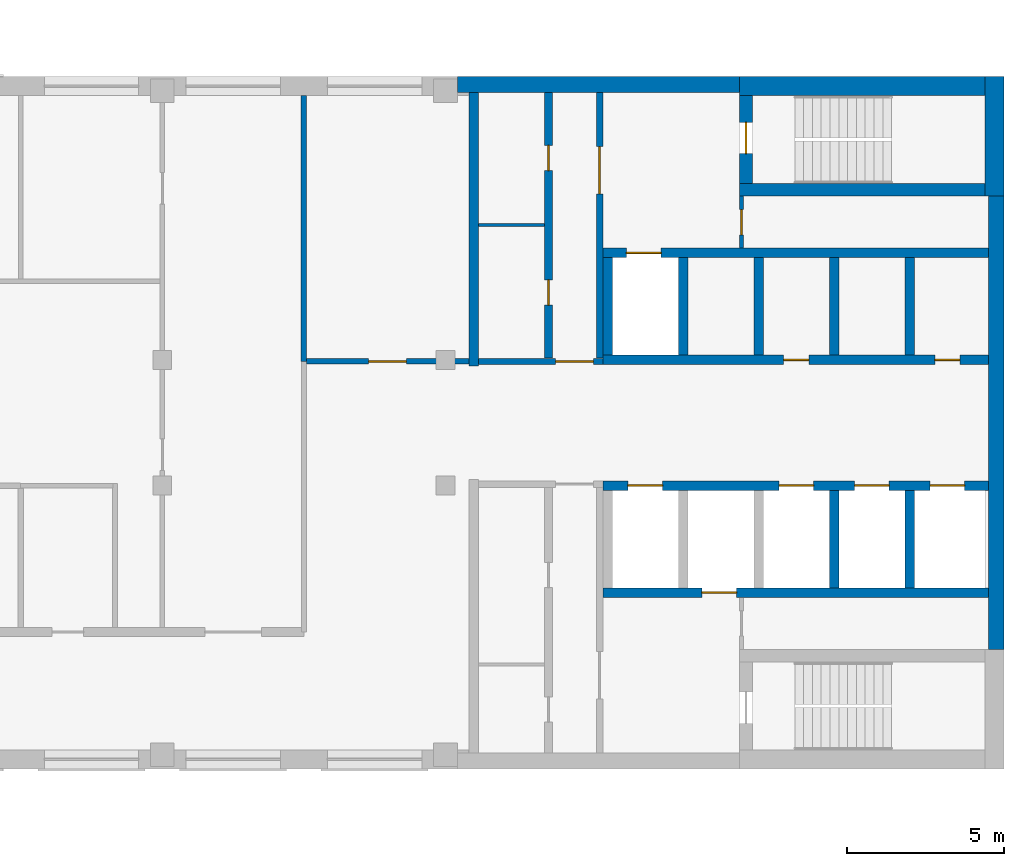
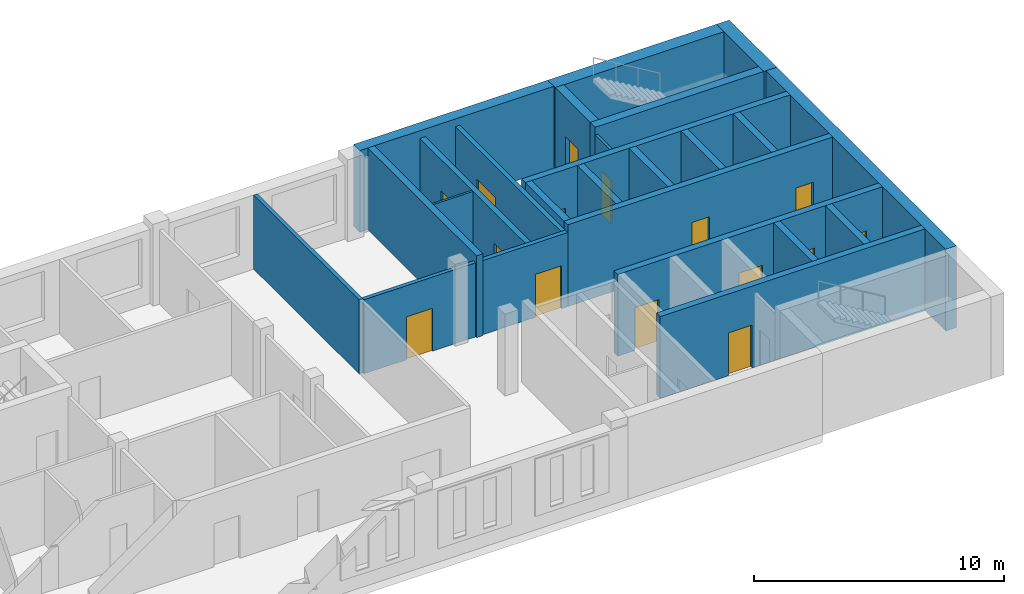
# One storey, part 6 of 10: 25 walls, 15 doors, 15 openings.
"""IFC4 building model written with IfcOpenShell, lengths in metres."""

from ifc_helpers import new_model, si_unit, direction, frame, frame_2d, origin, place, context, subcontext, project, spatial, rectangle, extrude, material, layer, layer_set, type_object, element, fill, save


model = new_model("IFC4")

# Units and contexts
model_context = context("Model", 3, precision=1e-05, world=origin(), true_north=direction((0.0, 1.0)))
body_context = subcontext(model_context, "Body", "Model", "MODEL_VIEW")
ifc_project = project(units=[si_unit("LENGTHUNIT", "METRE"), si_unit("AREAUNIT", "SQUARE_METRE"), si_unit("VOLUMEUNIT", "CUBIC_METRE"), si_unit("PLANEANGLEUNIT", "RADIAN"), si_unit("MASSUNIT", "GRAM", prefix="KILO")], contexts=[model_context])

# Site, building, storey
site_placement = place(None, origin())
site = spatial("IfcSite", under=ifc_project, at=site_placement, CompositionType="ELEMENT")
building_placement = place(site_placement, origin())
building = spatial("IfcBuilding", under=site, at=building_placement, Name="Skarvind Civic Tower", CompositionType="ELEMENT")
storey_placement = place(building_placement, frame((0.0, 0.0, 228.0)))
storey = spatial("IfcBuildingStorey", under=building, at=storey_placement, Name="L54", CompositionType="ELEMENT", Elevation=228.0)

# Wall
ifc_material_1 = material(Name="Acoustic gypsum board on steel studs", Category="steel")
ifc_layer_1 = layer(ifc_material_1, 0.175048828125)
ifc_layer_set_1 = layer_set([ifc_layer_1], Name="ACOUSTIC MEETING-ROOM PARTITION 175")
wall_type_1 = type_object("IfcWallType", Name="ACOUSTIC MEETING-ROOM PARTITION 175", PredefinedType="PARTITIONING", material=ifc_layer_set_1)
wall_1_placement = place(storey_placement, frame((85.75, 129.949951171875, 0.0), z_axis=(0.0, 0.0, 1.0), x_axis=(0.0, 1.0, 0.0)))
element("IfcWall", 1, at=wall_1_placement, inside=storey, type_object=wall_type_1, Name="Partition 54.038", PredefinedType="PARTITIONING", context=body_context, shape_type="SweptSolid", body=[
    extrude(rectangle(XDim=8.449951171875, YDim=0.175048828125, at=frame_2d((4.22509765625, 0.0))), origin(), (0.0, 0.0, 1.0), 3.625),
])

# Wall, opening, door
wall_2_placement = place(storey_placement, frame((85.837890625, 129.949951171875, 0.0), z_axis=(0.0, 0.0, 1.0), x_axis=(1.0, 0.0, 0.0)))
wall_2 = element("IfcWall", 2, at=wall_2_placement, inside=storey, type_object=wall_type_1, Name="Partition 54.039", PredefinedType="PARTITIONING", context=body_context, shape_type="SweptSolid", body=[
    extrude(rectangle(XDim=5.162109375, YDim=0.175048828125, at=frame_2d((2.5810546875, 0.0))), origin(), (0.0, 0.0, 1.0), 3.625),
])
opening_1_placement = place(wall_2_placement, frame((1.970947265625, 0.0, 0.0)))
opening_1 = element("IfcOpeningElement", 3, at=opening_1_placement, cuts=wall_2, Name="Opening L54-D001", PredefinedType="OPENING", context=body_context, shape_type="SweptSolid", body=[
    extrude(rectangle(XDim=1.199951171875, YDim=2.10009765625, at=frame_2d((0.60009765625, 1.050048828125))), frame((0.0, 0.097412109375, 0.0), z_axis=(0.0, -1.0, 0.0), x_axis=(1.0, 0.0, 0.0)), (0.0, 0.0, 1.0), 0.195068359375),
])
ifc_material_2 = material(Name="Timber door leaf", Category="wood")
door_type_1 = type_object("IfcDoorType", Name="DOOR 1200X2100 DOUBLE TIMBER", OperationType="NOTDEFINED", PredefinedType="DOOR", material=ifc_material_2)
door_1_placement = place(opening_1_placement, origin())
door_1 = element("IfcDoor", 4, at=door_1_placement, inside=storey, type_object=door_type_1, Name="Door L54-D001", OperationType="DOUBLE_DOOR_SINGLE_SWING", OverallHeight=2.10009765625, OverallWidth=1.199951171875, PredefinedType="DOOR", context=body_context, shape_type="SweptSolid", body=[
    extrude(rectangle(XDim=1.199951171875, YDim=2.10009765625, at=frame_2d((0.60009765625, 1.050048828125))), frame((0.0, 0.02490234375, 0.0), z_axis=(0.0, -1.0, 0.0), x_axis=(1.0, 0.0, 0.0)), (0.0, 0.0, 1.0), 0.050048828125),
])
fill(opening_1, door_1)

ifc_material_3 = material(Name="Fire-rated masonry partition", Category="masonry")
ifc_layer_2 = layer(ifc_material_3, 0.199951171875)
ifc_layer_set_2 = layer_set([ifc_layer_2], Name="Core enclosure wall 200")
wall_type_2 = type_object("IfcWallType", Name="Core enclosure wall 200", PredefinedType="PARTITIONING", material=ifc_layer_set_2)
wall_3_placement = place(storey_placement, frame((91.300048828125, 129.949951171875, 0.0), z_axis=(0.0, 0.0, 1.0), x_axis=(1.0, 0.0, 0.0)))
wall_3 = element("IfcWall", 5, at=wall_3_placement, inside=storey, type_object=wall_type_2, Name="Core wall C1", PredefinedType="PARTITIONING", context=body_context, shape_type="SweptSolid", body=[
    extrude(rectangle(XDim=3.949951171875, YDim=0.199951171875, at=frame_2d((1.97509765625, 0.0))), origin(), (0.0, 0.0, 1.0), 3.625),
])
opening_2_placement = place(wall_3_placement, frame((2.449951171875, 0.0, 0.0)))
opening_2 = element("IfcOpeningElement", 6, at=opening_2_placement, cuts=wall_3, Name="Opening D-L54-C1-13", PredefinedType="OPENING", context=body_context, shape_type="SweptSolid", body=[
    extrude(rectangle(XDim=1.199951171875, YDim=2.10009765625, at=frame_2d((0.60009765625, 1.050048828125))), frame((0.0, 0.10986328125, 0.0), z_axis=(0.0, -1.0, 0.0), x_axis=(1.0, 0.0, 0.0)), (0.0, 0.0, 1.0), 0.219970703125),
])
ifc_material_4 = material(Name="Fire-rated steel door", Category="steel")
door_type_2 = type_object("IfcDoorType", Name="Core lobby door 1200", OperationType="NOTDEFINED", PredefinedType="DOOR", material=ifc_material_4)
door_2_placement = place(opening_2_placement, origin())
door_2 = element("IfcDoor", 7, at=door_2_placement, inside=storey, type_object=door_type_2, Name="Fire door", OperationType="DOUBLE_DOOR_SINGLE_SWING", OverallHeight=2.10009765625, OverallWidth=1.199951171875, PredefinedType="DOOR", context=body_context, shape_type="SweptSolid", body=[
    extrude(rectangle(XDim=1.199951171875, YDim=2.10009765625, at=frame_2d((0.60009765625, 1.050048828125))), frame((0.0, 0.02490234375, 0.0), z_axis=(0.0, -1.0, 0.0), x_axis=(1.0, 0.0, 0.0)), (0.0, 0.0, 1.0), 0.050048828125),
])
fill(opening_2, door_2)

wall_4_placement = place(storey_placement, frame((95.14990234375, 130.050048828125, 0.0), z_axis=(0.0, 0.0, 1.0), x_axis=(0.0, 1.0, 0.0)))
wall_4 = element("IfcWall", 8, at=wall_4_placement, inside=storey, type_object=wall_type_2, Name="Core wall C1", PredefinedType="PARTITIONING", context=body_context, shape_type="SweptSolid", body=[
    extrude(rectangle(XDim=8.449951171875, YDim=0.199951171875, at=frame_2d((4.22509765625, 0.0))), origin(), (0.0, 0.0, 1.0), 3.625),
])
opening_3_placement = place(wall_4_placement, frame((5.22509765625, 0.0, 0.0)))
opening_3 = element("IfcOpeningElement", 9, at=opening_3_placement, cuts=wall_4, Name="Opening D-L54-C1-14", PredefinedType="OPENING", context=body_context, shape_type="SweptSolid", body=[
    extrude(rectangle(XDim=1.5, YDim=2.10009765625, at=frame_2d((0.75, 1.050048828125))), frame((0.0, 0.10986328125, 0.0), z_axis=(0.0, -1.0, 0.0), x_axis=(1.0, 0.0, 0.0)), (0.0, 0.0, 1.0), 0.219970703125),
])
door_type_3 = type_object("IfcDoorType", Name="Fire door 1500", OperationType="NOTDEFINED", PredefinedType="DOOR", material=ifc_material_4)
door_3_placement = place(opening_3_placement, origin())
door_3 = element("IfcDoor", 10, at=door_3_placement, inside=storey, type_object=door_type_3, Name="Fire door", OperationType="DOUBLE_DOOR_SINGLE_SWING", OverallHeight=2.10009765625, OverallWidth=1.5, PredefinedType="DOOR", context=body_context, shape_type="SweptSolid", body=[
    extrude(rectangle(XDim=1.5, YDim=2.10009765625, at=frame_2d((0.75, 1.050048828125))), frame((0.0, 0.02490234375, 0.0), z_axis=(0.0, -1.0, 0.0), x_axis=(1.0, 0.0, 0.0)), (0.0, 0.0, 1.0), 0.050048828125),
])
fill(opening_3, door_3)

# Wall
ifc_material_5 = material(Name="Fire-rated plasterboard partition")
ifc_layer_3 = layer(ifc_material_5, 0.10009765625)
ifc_layer_set_3 = layer_set([ifc_layer_3], Name="Core partition wall 100")
wall_type_3 = type_object("IfcWallType", Name="Core partition wall 100", PredefinedType="PARTITIONING", material=ifc_layer_set_3)
wall_5_placement = place(storey_placement, frame((91.300048828125, 134.280029296875, 0.0), z_axis=(0.0, 0.0, 1.0), x_axis=(1.0, 0.0, 0.0)))
element("IfcWall", 11, at=wall_5_placement, inside=storey, type_object=wall_type_3, Name="Core wall C1", PredefinedType="PARTITIONING", context=body_context, shape_type="SweptSolid", body=[
    extrude(rectangle(XDim=2.099853515625, YDim=0.10009765625, at=frame_2d((1.0498046875, 0.0))), origin(), (0.0, 0.0, 1.0), 3.625),
])

# Wall, openings, doors
ifc_material_6 = material(Name="Concrete C60", Category="concrete")
ifc_layer_4 = layer(ifc_material_6, 0.300048828125)
ifc_layer_set_4 = layer_set([ifc_layer_4], Name="Core wall 300 C60")
wall_type_4 = type_object("IfcWallType", Name="Core wall 300 C60", PredefinedType="SHEAR", material=ifc_layer_set_4)
wall_6_placement = place(storey_placement, frame((107.5, 130.0, 0.0), z_axis=(0.0, 0.0, 1.0), x_axis=(-1.0, 0.0, 0.0)))
wall_6 = element("IfcWall", 12, at=wall_6_placement, inside=storey, type_object=wall_type_4, Name="Core wall C1 south lift row front L54", PredefinedType="SHEAR", context=body_context, shape_type="SweptSolid", body=[
    extrude(rectangle(XDim=12.25, YDim=0.300048828125, at=frame_2d((6.125, 0.0))), origin(), (0.0, 0.0, 1.0), 4.0),
])
opening_4_placement = place(wall_6_placement, frame((0.89990234375, 0.0, 0.0)))
opening_4 = element("IfcOpeningElement", 13, at=opening_4_placement, cuts=wall_6, Name="Opening D-L54-C1-05", PredefinedType="OPENING", context=body_context, shape_type="SweptSolid", body=[
    extrude(rectangle(XDim=0.800048828125, YDim=2.10009765625, at=frame_2d((0.39990234375, 1.050048828125))), frame((0.0, 0.159912109375, 0.0), z_axis=(0.0, -1.0, 0.0), x_axis=(1.0, 0.0, 0.0)), (0.0, 0.0, 1.0), 0.320068359375),
])
opening_5_placement = place(wall_6_placement, frame((5.699951171875, 0.0, 0.0)))
opening_5 = element("IfcOpeningElement", 14, at=opening_5_placement, cuts=wall_6, Name="Opening D-L54-C1-06", PredefinedType="OPENING", context=body_context, shape_type="SweptSolid", body=[
    extrude(rectangle(XDim=0.800048828125, YDim=2.10009765625, at=frame_2d((0.39990234375, 1.050048828125))), frame((0.0, 0.159912109375, 0.0), z_axis=(0.0, -1.0, 0.0), x_axis=(1.0, 0.0, 0.0)), (0.0, 0.0, 1.0), 0.320068359375),
])
door_type_4 = type_object("IfcDoorType", Name="Core riser door 800", OperationType="NOTDEFINED", PredefinedType="DOOR", material=ifc_material_4)
door_4_placement = place(opening_4_placement, origin())
door_4 = element("IfcDoor", 15, at=door_4_placement, inside=storey, type_object=door_type_4, Name="Riser door", OperationType="SINGLE_SWING_LEFT", OverallHeight=2.10009765625, OverallWidth=0.800048828125, PredefinedType="DOOR", context=body_context, shape_type="SweptSolid", body=[
    extrude(rectangle(XDim=0.800048828125, YDim=2.10009765625, at=frame_2d((0.39990234375, 1.050048828125))), frame((0.0, 0.02490234375, 0.0), z_axis=(0.0, -1.0, 0.0), x_axis=(1.0, 0.0, 0.0)), (0.0, 0.0, 1.0), 0.050048828125),
])
fill(opening_4, door_4)
door_5_placement = place(opening_5_placement, origin())
door_5 = element("IfcDoor", 16, at=door_5_placement, inside=storey, type_object=door_type_4, Name="Riser door", OperationType="SINGLE_SWING_RIGHT", OverallHeight=2.10009765625, OverallWidth=0.800048828125, PredefinedType="DOOR", context=body_context, shape_type="SweptSolid", body=[
    extrude(rectangle(XDim=0.800048828125, YDim=2.10009765625, at=frame_2d((0.39990234375, 1.050048828125))), frame((0.0, 0.02490234375, 0.0), z_axis=(0.0, -1.0, 0.0), x_axis=(1.0, 0.0, 0.0)), (0.0, 0.0, 1.0), 0.050048828125),
])
fill(opening_5, door_5)

# Wall, opening, door
wall_7_placement = place(storey_placement, frame((107.5, 133.39990234375, 0.0), z_axis=(0.0, 0.0, 1.0), x_axis=(-1.0, 0.0, 0.0)))
wall_7 = element("IfcWall", 17, at=wall_7_placement, inside=storey, type_object=wall_type_4, Name="Core wall C1 south lift row back L54", PredefinedType="SHEAR", context=body_context, shape_type="SweptSolid", body=[
    extrude(rectangle(XDim=12.25, YDim=0.300048828125, at=frame_2d((6.125, 0.0))), origin(), (0.0, 0.0, 1.0), 4.0),
])
opening_6_placement = place(wall_7_placement, frame((10.39990234375, 0.0, 0.0)))
opening_6 = element("IfcOpeningElement", 18, at=opening_6_placement, cuts=wall_7, Name="Opening LD56110", PredefinedType="OPENING", context=body_context, shape_type="SweptSolid", body=[
    extrude(rectangle(XDim=1.10009765625, YDim=2.10009765625, at=frame_2d((0.550048828125, 1.050048828125))), frame((0.0, 0.159912109375, 0.0), z_axis=(0.0, -1.0, 0.0), x_axis=(1.0, 0.0, 0.0)), (0.0, 0.0, 1.0), 0.320068359375),
])
ifc_material_7 = material(Name="Stainless steel landing door", Category="steel")
door_type_5 = type_object("IfcDoorType", Name="Lift landing door 1100", OperationType="DOUBLE_DOOR_SLIDING", PredefinedType="DOOR", material=ifc_material_7)
door_6_placement = place(opening_6_placement, origin())
door_6 = element("IfcDoor", 19, at=door_6_placement, inside=storey, type_object=door_type_5, Name="Lift landing door", OperationType="DOUBLE_DOOR_SLIDING", OverallHeight=2.10009765625, OverallWidth=1.10009765625, PredefinedType="DOOR", context=body_context, shape_type="SweptSolid", body=[
    extrude(rectangle(XDim=1.10009765625, YDim=2.10009765625, at=frame_2d((0.550048828125, 1.050048828125))), frame((0.0, 0.02490234375, 0.0), z_axis=(0.0, -1.0, 0.0), x_axis=(1.0, 0.0, 0.0)), (0.0, 0.0, 1.0), 0.050048828125),
])
fill(opening_6, door_6)

# Walls
for number, where, z_axis, x_axis, name in (
    (20, (105.0, 133.25, 0.0), (0.0, 0.0, 1.0), (0.0, -1.0, 0.0), "Core wall C1 south lift row division 1 L54"),
    (21, (102.60009765625, 133.25, 0.0), (0.0, 0.0, 1.0), (0.0, -1.0, 0.0), "Core wall C1 south lift row division 2 L54"),
    (22, (100.199951171875, 133.25, 0.0), (0.0, 0.0, 1.0), (0.0, -1.0, 0.0), "Core wall C1 south lift row division 3 L54"),
    (23, (97.800048828125, 133.25, 0.0), (0.0, 0.0, 1.0), (0.0, -1.0, 0.0), "Core wall C1 south lift row division 4 L54"),
    (24, (95.39990234375, 133.25, 0.0), (0.0, 0.0, 1.0), (0.0, -1.0, 0.0), "Core wall C1 south lift row division 5 L54"),
):
    element("IfcWall", number, at=place(storey_placement, frame(where, z_axis=z_axis, x_axis=x_axis)), inside=storey, type_object=wall_type_4, Name=name, PredefinedType="SHEAR", context=body_context, shape_type="SweptSolid", body=[
        extrude(rectangle(XDim=3.10009765625, YDim=0.300048828125, at=frame_2d((1.550048828125, 0.0))), origin(), (0.0, 0.0, 1.0), 4.0),
    ])

# Wall, openings, doors
wall_8_placement = place(storey_placement, frame((107.5, 126.0, 0.0), z_axis=(0.0, 0.0, 1.0), x_axis=(-1.0, 0.0, 0.0)))
wall_8 = element("IfcWall", 25, at=wall_8_placement, inside=storey, type_object=wall_type_4, Name="Core wall C1 north lift row front L54", PredefinedType="SHEAR", context=body_context, shape_type="SweptSolid", body=[
    extrude(rectangle(XDim=12.25, YDim=0.300048828125, at=frame_2d((6.125, 0.0))), origin(), (0.0, 0.0, 1.0), 4.0),
])
opening_7_placement = place(wall_8_placement, frame((0.75, 0.0, 0.0)))
opening_7 = element("IfcOpeningElement", 26, at=opening_7_placement, cuts=wall_8, Name="Opening LD56101", PredefinedType="OPENING", context=body_context, shape_type="SweptSolid", body=[
    extrude(rectangle(XDim=1.10009765625, YDim=2.10009765625, at=frame_2d((0.550048828125, 1.050048828125))), frame((0.0, 0.159912109375, 0.0), z_axis=(0.0, -1.0, 0.0), x_axis=(1.0, 0.0, 0.0)), (0.0, 0.0, 1.0), 0.320068359375),
])
opening_8_placement = place(wall_8_placement, frame((3.14990234375, 0.0, 0.0)))
opening_8 = element("IfcOpeningElement", 27, at=opening_8_placement, cuts=wall_8, Name="Opening LD56102", PredefinedType="OPENING", context=body_context, shape_type="SweptSolid", body=[
    extrude(rectangle(XDim=1.10009765625, YDim=2.10009765625, at=frame_2d((0.550048828125, 1.050048828125))), frame((0.0, 0.159912109375, 0.0), z_axis=(0.0, -1.0, 0.0), x_axis=(1.0, 0.0, 0.0)), (0.0, 0.0, 1.0), 0.320068359375),
])
opening_9_placement = place(wall_8_placement, frame((5.550048828125, 0.0, 0.0)))
opening_9 = element("IfcOpeningElement", 28, at=opening_9_placement, cuts=wall_8, Name="Opening LD56103", PredefinedType="OPENING", context=body_context, shape_type="SweptSolid", body=[
    extrude(rectangle(XDim=1.10009765625, YDim=2.10009765625, at=frame_2d((0.550048828125, 1.050048828125))), frame((0.0, 0.159912109375, 0.0), z_axis=(0.0, -1.0, 0.0), x_axis=(1.0, 0.0, 0.0)), (0.0, 0.0, 1.0), 0.320068359375),
])
opening_10_placement = place(wall_8_placement, frame((10.35009765625, 0.0, 0.0)))
opening_10 = element("IfcOpeningElement", 29, at=opening_10_placement, cuts=wall_8, Name="Opening LD56105", PredefinedType="OPENING", context=body_context, shape_type="SweptSolid", body=[
    extrude(rectangle(XDim=1.10009765625, YDim=2.10009765625, at=frame_2d((0.550048828125, 1.050048828125))), frame((0.0, 0.159912109375, 0.0), z_axis=(0.0, -1.0, 0.0), x_axis=(1.0, 0.0, 0.0)), (0.0, 0.0, 1.0), 0.320068359375),
])
door_7_placement = place(opening_7_placement, origin())
door_7 = element("IfcDoor", 30, at=door_7_placement, inside=storey, type_object=door_type_5, Name="Lift landing door", OperationType="DOUBLE_DOOR_SLIDING", OverallHeight=2.10009765625, OverallWidth=1.10009765625, PredefinedType="DOOR", context=body_context, shape_type="SweptSolid", body=[
    extrude(rectangle(XDim=1.10009765625, YDim=2.10009765625, at=frame_2d((0.550048828125, 1.050048828125))), frame((0.0, 0.02490234375, 0.0), z_axis=(0.0, -1.0, 0.0), x_axis=(1.0, 0.0, 0.0)), (0.0, 0.0, 1.0), 0.050048828125),
])
fill(opening_7, door_7)
door_8_placement = place(opening_8_placement, origin())
door_8 = element("IfcDoor", 31, at=door_8_placement, inside=storey, type_object=door_type_5, Name="Lift landing door", OperationType="DOUBLE_DOOR_SLIDING", OverallHeight=2.10009765625, OverallWidth=1.10009765625, PredefinedType="DOOR", context=body_context, shape_type="SweptSolid", body=[
    extrude(rectangle(XDim=1.10009765625, YDim=2.10009765625, at=frame_2d((0.550048828125, 1.050048828125))), frame((0.0, 0.02490234375, 0.0), z_axis=(0.0, -1.0, 0.0), x_axis=(1.0, 0.0, 0.0)), (0.0, 0.0, 1.0), 0.050048828125),
])
fill(opening_8, door_8)
door_9_placement = place(opening_9_placement, origin())
door_9 = element("IfcDoor", 32, at=door_9_placement, inside=storey, type_object=door_type_5, Name="Lift landing door", OperationType="DOUBLE_DOOR_SLIDING", OverallHeight=2.10009765625, OverallWidth=1.10009765625, PredefinedType="DOOR", context=body_context, shape_type="SweptSolid", body=[
    extrude(rectangle(XDim=1.10009765625, YDim=2.10009765625, at=frame_2d((0.550048828125, 1.050048828125))), frame((0.0, 0.02490234375, 0.0), z_axis=(0.0, -1.0, 0.0), x_axis=(1.0, 0.0, 0.0)), (0.0, 0.0, 1.0), 0.050048828125),
])
fill(opening_9, door_9)
door_10_placement = place(opening_10_placement, origin())
door_10 = element("IfcDoor", 33, at=door_10_placement, inside=storey, type_object=door_type_5, Name="Lift landing door", OperationType="DOUBLE_DOOR_SLIDING", OverallHeight=2.10009765625, OverallWidth=1.10009765625, PredefinedType="DOOR", context=body_context, shape_type="SweptSolid", body=[
    extrude(rectangle(XDim=1.10009765625, YDim=2.10009765625, at=frame_2d((0.550048828125, 1.050048828125))), frame((0.0, 0.02490234375, 0.0), z_axis=(0.0, -1.0, 0.0), x_axis=(1.0, 0.0, 0.0)), (0.0, 0.0, 1.0), 0.050048828125),
])
fill(opening_10, door_10)

# Wall, opening, door
wall_9_placement = place(storey_placement, frame((107.5, 122.60009765625, 0.0), z_axis=(0.0, 0.0, 1.0), x_axis=(-1.0, 0.0, 0.0)))
wall_9 = element("IfcWall", 34, at=wall_9_placement, inside=storey, type_object=wall_type_4, Name="Core wall C1 north lift row back L54", PredefinedType="SHEAR", context=body_context, shape_type="SweptSolid", body=[
    extrude(rectangle(XDim=12.25, YDim=0.300048828125, at=frame_2d((6.125, 0.0))), origin(), (0.0, 0.0, 1.0), 4.0),
])
opening_11_placement = place(wall_9_placement, frame((8.0, 0.0, 0.0)))
opening_11 = element("IfcOpeningElement", 35, at=opening_11_placement, cuts=wall_9, Name="Opening LD56104", PredefinedType="OPENING", context=body_context, shape_type="SweptSolid", body=[
    extrude(rectangle(XDim=1.10009765625, YDim=2.10009765625, at=frame_2d((0.550048828125, 1.050048828125))), frame((0.0, 0.159912109375, 0.0), z_axis=(0.0, -1.0, 0.0), x_axis=(1.0, 0.0, 0.0)), (0.0, 0.0, 1.0), 0.320068359375),
])
door_11_placement = place(opening_11_placement, origin())
door_11 = element("IfcDoor", 36, at=door_11_placement, inside=storey, type_object=door_type_5, Name="Lift landing door", OperationType="DOUBLE_DOOR_SLIDING", OverallHeight=2.10009765625, OverallWidth=1.10009765625, PredefinedType="DOOR", context=body_context, shape_type="SweptSolid", body=[
    extrude(rectangle(XDim=1.10009765625, YDim=2.10009765625, at=frame_2d((0.550048828125, 1.050048828125))), frame((0.0, 0.02490234375, 0.0), z_axis=(0.0, -1.0, 0.0), x_axis=(1.0, 0.0, 0.0)), (0.0, 0.0, 1.0), 0.050048828125),
])
fill(opening_11, door_11)

# Walls
for number, where, z_axis, x_axis, name in (
    (37, (105.0, 125.85009765625, 0.0), (0.0, 0.0, 1.0), (0.0, -1.0, 0.0), "Core wall C1 north lift row division 1 L54"),
    (38, (102.60009765625, 125.85009765625, 0.0), (0.0, 0.0, 1.0), (0.0, -1.0, 0.0), "Core wall C1 north lift row division 2 L54"),
):
    element("IfcWall", number, at=place(storey_placement, frame(where, z_axis=z_axis, x_axis=x_axis)), inside=storey, type_object=wall_type_4, Name=name, PredefinedType="SHEAR", context=body_context, shape_type="SweptSolid", body=[
        extrude(rectangle(XDim=3.10009765625, YDim=0.300048828125, at=frame_2d((1.550048828125, 0.0))), origin(), (0.0, 0.0, 1.0), 4.0),
    ])
wall_10_placement = place(storey_placement, frame((91.14990234375, 138.5, 0.0), z_axis=(0.0, 0.0, 1.0), x_axis=(0.0, -1.0, 0.0)))
element("IfcWall", 39, at=wall_10_placement, inside=storey, type_object=wall_type_4, Name="Core wall C1 south inner face L54", PredefinedType="SHEAR", context=body_context, shape_type="SweptSolid", body=[
    extrude(rectangle(XDim=8.699951171875, YDim=0.300048828125, at=frame_2d((4.35009765625, 0.0))), origin(), (0.0, 0.0, 1.0), 4.0),
])
ifc_layer_5 = layer(ifc_material_6, 0.39990234375)
ifc_layer_set_5 = layer_set([ifc_layer_5], Name="Core wall 400 C60")
wall_type_5 = type_object("IfcWallType", Name="Core wall 400 C60", PredefinedType="SHEAR", material=ifc_layer_set_5)
wall_11_placement = place(storey_placement, frame((107.39990234375, 135.39990234375, 0.0), z_axis=(0.0, 0.0, 1.0), x_axis=(-1.0, 0.0, 0.0)))
element("IfcWall", 40, at=wall_11_placement, inside=storey, type_object=wall_type_5, Name="Core wall C1 south stair inner L54", PredefinedType="SHEAR", context=body_context, shape_type="SweptSolid", body=[
    extrude(rectangle(XDim=7.7998046875, YDim=0.39990234375, at=frame_2d((3.89990234375, 0.0))), origin(), (0.0, 0.0, 1.0), 4.0),
])

# Wall, opening, door
wall_12_placement = place(storey_placement, frame((99.800048828125, 138.39990234375, 0.0), z_axis=(0.0, 0.0, 1.0), x_axis=(0.0, -1.0, 0.0)))
wall_12 = element("IfcWall", 41, at=wall_12_placement, inside=storey, type_object=wall_type_5, Name="Core wall C1 south stair end L54", PredefinedType="SHEAR", context=body_context, shape_type="SweptSolid", body=[
    extrude(rectangle(XDim=2.7998046875, YDim=0.39990234375, at=frame_2d((1.39990234375, 0.0))), origin(), (0.0, 0.0, 1.0), 4.0),
])
opening_12_placement = place(wall_12_placement, frame((0.85009765625, 0.0, 0.0)))
opening_12 = element("IfcOpeningElement", 42, at=opening_12_placement, cuts=wall_12, Name="Opening D-L54-C1-15", PredefinedType="OPENING", context=body_context, shape_type="SweptSolid", body=[
    extrude(rectangle(XDim=1.0, YDim=2.10009765625, at=frame_2d((0.5, 1.050048828125))), frame((0.0, 0.2099609375, 0.0), z_axis=(0.0, -1.0, 0.0), x_axis=(1.0, 0.0, 0.0)), (0.0, 0.0, 1.0), 0.419921875),
])
door_type_6 = type_object("IfcDoorType", Name="Fire door 1000", OperationType="NOTDEFINED", PredefinedType="DOOR", material=ifc_material_4)
door_12_placement = place(opening_12_placement, origin())
door_12 = element("IfcDoor", 43, at=door_12_placement, inside=storey, type_object=door_type_6, Name="Fire door", OperationType="SINGLE_SWING_RIGHT", OverallHeight=2.10009765625, OverallWidth=1.0, PredefinedType="DOOR", context=body_context, shape_type="SweptSolid", body=[
    extrude(rectangle(XDim=1.0, YDim=2.10009765625, at=frame_2d((0.5, 1.050048828125))), frame((0.0, 0.02490234375, 0.0), z_axis=(0.0, -1.0, 0.0), x_axis=(1.0, 0.0, 0.0)), (0.0, 0.0, 1.0), 0.050048828125),
])
fill(opening_12, door_12)

# Walls
ifc_layer_6 = layer(ifc_material_6, 0.5)
ifc_layer_set_6 = layer_set([ifc_layer_6], Name="Core wall 500 C60")
wall_type_6 = type_object("IfcWallType", Name="Core wall 500 C60", PredefinedType="SHEAR", material=ifc_layer_set_6)
wall_13_placement = place(storey_placement, frame((107.75, 135.199951171875, 0.0), z_axis=(0.0, 0.0, 1.0), x_axis=(0.0, -1.0, 0.0)))
element("IfcWall", 44, at=wall_13_placement, inside=storey, type_object=wall_type_6, Name="Core wall C1 tip between the stairs L54", PredefinedType="SHEAR", context=body_context, shape_type="SweptSolid", body=[
    extrude(rectangle(XDim=14.39990234375, YDim=0.5, at=frame_2d((7.199951171875, 0.0))), origin(), (0.0, 0.0, 1.0), 4.0),
])
wall_14_placement = place(storey_placement, frame((99.60009765625, 138.75, 0.0), z_axis=(0.0, 0.0, 1.0), x_axis=(-1.0, 0.0, 0.0)))
element("IfcWall", 45, at=wall_14_placement, inside=storey, type_object=wall_type_6, Name="Core wall C1 south side L54", PredefinedType="SHEAR", context=body_context, shape_type="SweptSolid", body=[
    extrude(rectangle(XDim=8.97509765625, YDim=0.5, at=frame_2d((4.487548828125, 0.0))), origin(), (0.0, 0.0, 1.0), 4.0),
])
ifc_layer_7 = layer(ifc_material_6, 0.60009765625)
ifc_layer_set_7 = layer_set([ifc_layer_7], Name="Core wall 600 C60")
wall_type_7 = type_object("IfcWallType", Name="Core wall 600 C60", PredefinedType="SHEAR", material=ifc_layer_set_7)
wall_15_placement = place(storey_placement, frame((107.699951171875, 139.0, 0.0), z_axis=(0.0, 0.0, 1.0), x_axis=(0.0, -1.0, 0.0)))
element("IfcWall", 46, at=wall_15_placement, inside=storey, type_object=wall_type_7, Name="Core wall C1 tip at the south stair L54", PredefinedType="SHEAR", context=body_context, shape_type="SweptSolid", body=[
    extrude(rectangle(XDim=3.800048828125, YDim=0.60009765625, at=frame_2d((1.89990234375, 0.0))), origin(), (0.0, 0.0, 1.0), 4.0),
])
wall_16_placement = place(storey_placement, frame((107.39990234375, 138.699951171875, 0.0), z_axis=(0.0, 0.0, 1.0), x_axis=(-1.0, 0.0, 0.0)))
element("IfcWall", 47, at=wall_16_placement, inside=storey, type_object=wall_type_7, Name="Core wall C1 south side at the stair L54", PredefinedType="SHEAR", context=body_context, shape_type="SweptSolid", body=[
    extrude(rectangle(XDim=7.7998046875, YDim=0.60009765625, at=frame_2d((3.89990234375, 0.0))), origin(), (0.0, 0.0, 1.0), 4.0),
])

# Wall, opening, door
ifc_layer_8 = layer(ifc_material_3, 0.125)
ifc_layer_set_8 = layer_set([ifc_layer_8], Name="Riser wall 125")
wall_type_8 = type_object("IfcWallType", Name="Riser wall 125", PredefinedType="PARTITIONING", material=ifc_layer_set_8)
wall_17_placement = place(storey_placement, frame((99.66259765625, 133.550048828125, 0.0), z_axis=(0.0, 0.0, 1.0), x_axis=(0.0, 1.0, 0.0)))
wall_17 = element("IfcWall", 48, at=wall_17_placement, inside=storey, type_object=wall_type_8, Name="Core wall C1", PredefinedType="PARTITIONING", context=body_context, shape_type="SweptSolid", body=[
    extrude(rectangle(XDim=1.64990234375, YDim=0.125, at=frame_2d((0.824951171875, 0.0))), origin(), (0.0, 0.0, 1.0), 3.625),
])
opening_13_placement = place(wall_17_placement, frame((0.425048828125, 0.0, 0.0)))
opening_13 = element("IfcOpeningElement", 49, at=opening_13_placement, cuts=wall_17, Name="Opening D-L54-C1-16", PredefinedType="OPENING", context=body_context, shape_type="SweptSolid", body=[
    extrude(rectangle(XDim=0.800048828125, YDim=2.10009765625, at=frame_2d((0.39990234375, 1.050048828125))), frame((0.0, 0.072509765625, 0.0), z_axis=(0.0, -1.0, 0.0), x_axis=(1.0, 0.0, 0.0)), (0.0, 0.0, 1.0), 0.14501953125),
])
door_13_placement = place(opening_13_placement, origin())
door_13 = element("IfcDoor", 50, at=door_13_placement, inside=storey, type_object=door_type_4, Name="Riser door", OperationType="SINGLE_SWING_LEFT", OverallHeight=2.10009765625, OverallWidth=0.800048828125, PredefinedType="DOOR", context=body_context, shape_type="SweptSolid", body=[
    extrude(rectangle(XDim=0.800048828125, YDim=2.10009765625, at=frame_2d((0.39990234375, 1.050048828125))), frame((0.0, 0.02490234375, 0.0), z_axis=(0.0, -1.0, 0.0), x_axis=(1.0, 0.0, 0.0)), (0.0, 0.0, 1.0), 0.050048828125),
])
fill(opening_13, door_13)

# Wall, openings, doors
ifc_layer_9 = layer(ifc_material_3, 0.25)
ifc_layer_set_9 = layer_set([ifc_layer_9], Name="Service block wall 250")
wall_type_9 = type_object("IfcWallType", Name="Service block wall 250", PredefinedType="PARTITIONING", material=ifc_layer_set_9)
wall_18_placement = place(storey_placement, frame((93.52490234375, 130.050048828125, 0.0), z_axis=(0.0, 0.0, 1.0), x_axis=(0.0, 1.0, 0.0)))
wall_18 = element("IfcWall", 51, at=wall_18_placement, inside=storey, type_object=wall_type_9, Name="Core wall C1", PredefinedType="PARTITIONING", context=body_context, shape_type="SweptSolid", body=[
    extrude(rectangle(XDim=8.449951171875, YDim=0.25, at=frame_2d((4.22509765625, 0.0))), origin(), (0.0, 0.0, 1.0), 3.625),
])
opening_14_placement = place(wall_18_placement, frame((1.68994140625, 0.0, 0.0)))
opening_14 = element("IfcOpeningElement", 52, at=opening_14_placement, cuts=wall_18, Name="Opening D-L54-C1-17", PredefinedType="OPENING", context=body_context, shape_type="SweptSolid", body=[
    extrude(rectangle(XDim=0.800048828125, YDim=2.10009765625, at=frame_2d((0.39990234375, 1.050048828125))), frame((0.0, 0.135009765625, 0.0), z_axis=(0.0, -1.0, 0.0), x_axis=(1.0, 0.0, 0.0)), (0.0, 0.0, 1.0), 0.27001953125),
])
opening_15_placement = place(wall_18_placement, frame((5.965087890625, 0.0, 0.0)))
opening_15 = element("IfcOpeningElement", 53, at=opening_15_placement, cuts=wall_18, Name="Opening D-L54-C1-18", PredefinedType="OPENING", context=body_context, shape_type="SweptSolid", body=[
    extrude(rectangle(XDim=0.800048828125, YDim=2.10009765625, at=frame_2d((0.39990234375, 1.050048828125))), frame((0.0, 0.135009765625, 0.0), z_axis=(0.0, -1.0, 0.0), x_axis=(1.0, 0.0, 0.0)), (0.0, 0.0, 1.0), 0.27001953125),
])
door_14_placement = place(opening_14_placement, origin())
door_14 = element("IfcDoor", 54, at=door_14_placement, inside=storey, type_object=door_type_4, Name="Riser door", OperationType="SINGLE_SWING_RIGHT", OverallHeight=2.10009765625, OverallWidth=0.800048828125, PredefinedType="DOOR", context=body_context, shape_type="SweptSolid", body=[
    extrude(rectangle(XDim=0.800048828125, YDim=2.10009765625, at=frame_2d((0.39990234375, 1.050048828125))), frame((0.0, 0.02490234375, 0.0), z_axis=(0.0, -1.0, 0.0), x_axis=(1.0, 0.0, 0.0)), (0.0, 0.0, 1.0), 0.050048828125),
])
fill(opening_14, door_14)
door_15_placement = place(opening_15_placement, origin())
door_15 = element("IfcDoor", 55, at=door_15_placement, inside=storey, type_object=door_type_4, Name="Riser door", OperationType="SINGLE_SWING_LEFT", OverallHeight=2.10009765625, OverallWidth=0.800048828125, PredefinedType="DOOR", context=body_context, shape_type="SweptSolid", body=[
    extrude(rectangle(XDim=0.800048828125, YDim=2.10009765625, at=frame_2d((0.39990234375, 1.050048828125))), frame((0.0, 0.02490234375, 0.0), z_axis=(0.0, -1.0, 0.0), x_axis=(1.0, 0.0, 0.0)), (0.0, 0.0, 1.0), 0.050048828125),
])
fill(opening_15, door_15)

save(model, "model.ifc")
